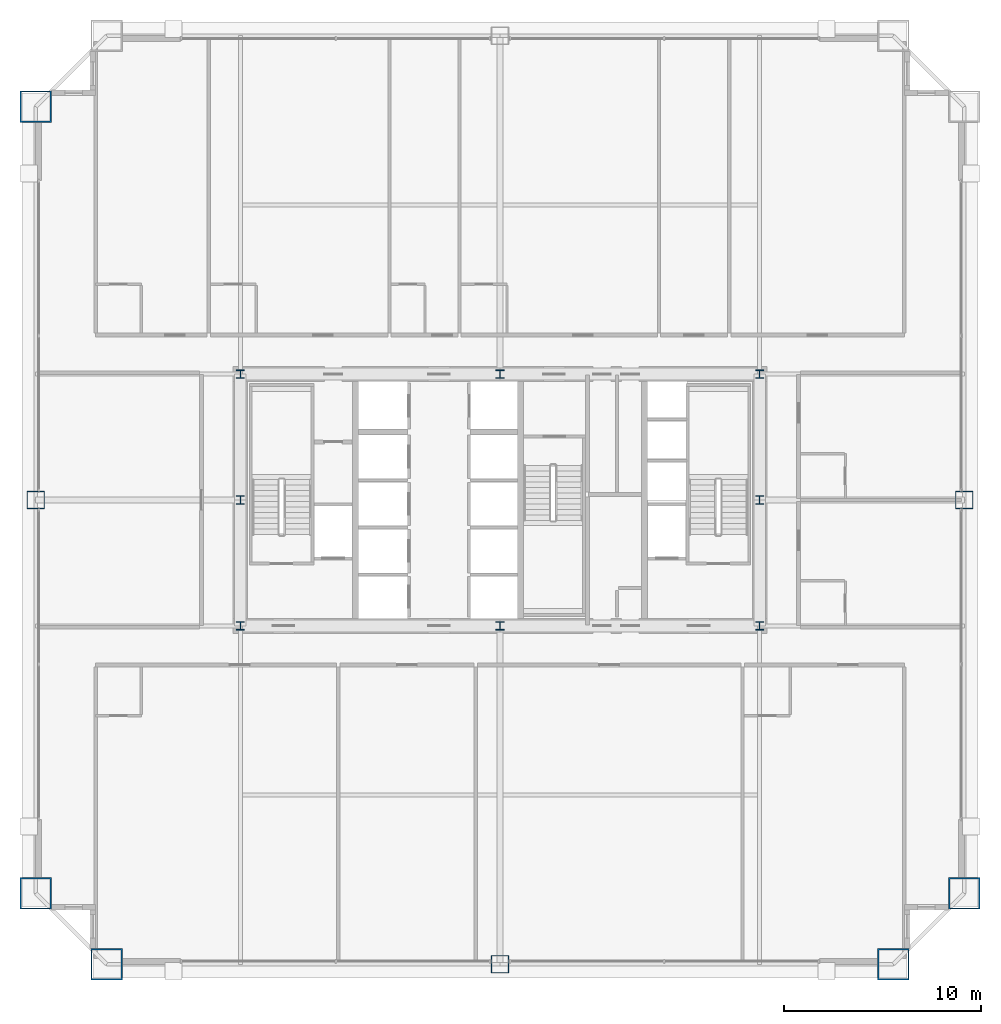
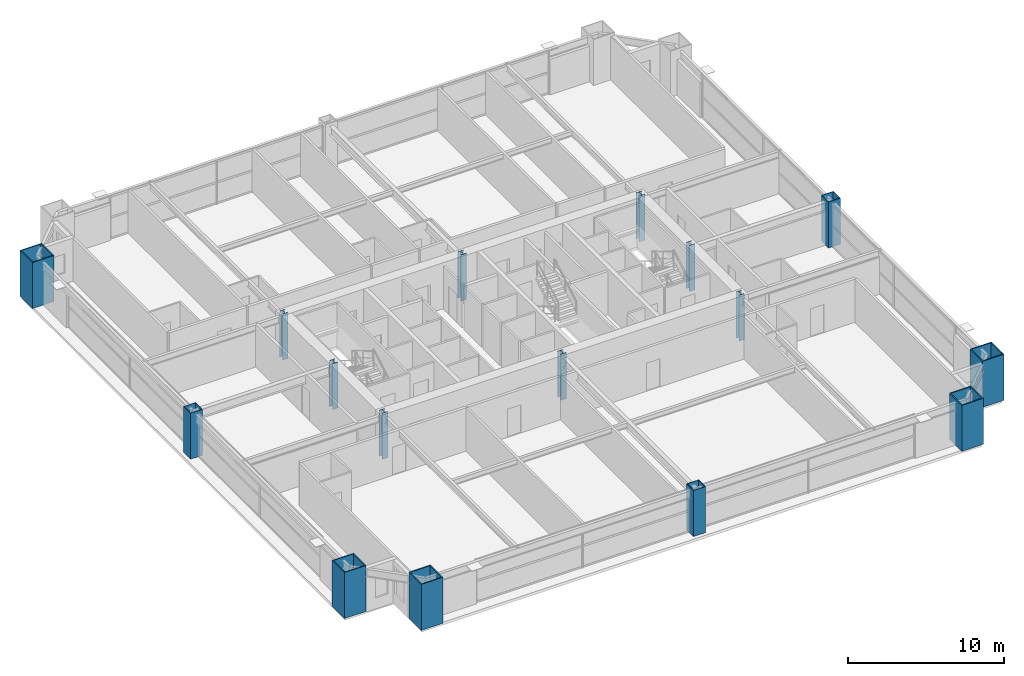
# One storey, part 1 of 38: 16 columns.
"""IFC4 building model written with IfcOpenShell, lengths in metres."""

from ifc_helpers import new_model, si_unit, direction, frame, origin, origin_2d, place, context, subcontext, project, spatial, hollow_rectangle, i_section, extrude, source, transform, mapped, material, material_profile, profile_set, type_object, element, save


model = new_model("IFC4")

# Units and contexts
model_context = context("Model", 3, precision=1e-05, world=origin(), true_north=direction((0.0, 1.0)))
body_context = subcontext(model_context, "Body", "Model", "MODEL_VIEW")
ifc_project = project(units=[si_unit("LENGTHUNIT", "METRE"), si_unit("AREAUNIT", "SQUARE_METRE"), si_unit("VOLUMEUNIT", "CUBIC_METRE"), si_unit("PLANEANGLEUNIT", "RADIAN"), si_unit("MASSUNIT", "GRAM", prefix="KILO"), si_unit("THERMODYNAMICTEMPERATUREUNIT", "KELVIN"), si_unit("POWERUNIT", "WATT")], contexts=[model_context])

# Site, building, storey
site_placement = place(None, origin())
site = spatial("IfcSite", under=ifc_project, at=site_placement, CompositionType="ELEMENT")
building_placement = place(site_placement, origin())
building = spatial("IfcBuilding", under=site, at=building_placement, Name="Yuzanri Waterfront Tower", CompositionType="ELEMENT")
storey_placement = place(building_placement, frame((0.0, 0.0, 111.800048828125)))
storey = spatial("IfcBuildingStorey", under=building, at=storey_placement, Name="L29", CompositionType="ELEMENT", Elevation=111.800048828125)

# Columns
ifc_material_1 = material(Name="Steel Q355B", Category="steel")
ifc_material_profile_1 = material_profile(ifc_material_1, i_section(OverallWidth=0.406982421875, OverallDepth=0.427978515625, WebThickness=0.02001953125, FlangeThickness=0.034912109375, at=origin_2d()), Name="HW 428x407x20x35")
ifc_profile_set_1 = profile_set([ifc_material_profile_1], Name="Steel Q355B")
column_type_1 = type_object("IfcColumnType", Name="Core Post Q355B HW 428x407x20x35", PredefinedType="COLUMN", material=ifc_profile_set_1)
shared_shape_1 = source(origin(), body_context, "Body", "SweptSolid", [
    extrude(i_section(OverallWidth=0.406982421875, OverallDepth=0.427978515625, WebThickness=0.02001953125, FlangeThickness=0.034912109375, at=origin_2d()), origin(), (0.0, 0.0, 1.0), 3.599853515625),
])
for number, where, z_axis, x_axis, name in (
    (1, (23.800048828125, 19.39990234375, 0.0), (0.0, 0.0, 1.0), (1.0, 0.0, 0.0), "L29 Core Boundary Column CP1"),
    (2, (37.0, 19.39990234375, 0.0), (0.0, 0.0, 1.0), (1.0, 0.0, 0.0), "L29 Core Boundary Column CP2"),
    (3, (50.199951171875, 19.39990234375, 0.0), (0.0, 0.0, 1.0), (1.0, 0.0, 0.0), "L29 Core Boundary Column CP3"),
    (4, (23.800048828125, 25.800048828125, 0.0), (0.0, 0.0, 1.0), (1.0, 0.0, 0.0), "L29 Core Boundary Column CP4"),
    (5, (50.199951171875, 25.800048828125, 0.0), (0.0, 0.0, 1.0), (1.0, 0.0, 0.0), "L29 Core Boundary Column CP5"),
    (6, (23.800048828125, 32.199951171875, 0.0), (0.0, 0.0, 1.0), (1.0, 0.0, 0.0), "L29 Core Boundary Column CP6"),
    (7, (37.0, 32.199951171875, 0.0), (0.0, 0.0, 1.0), (1.0, 0.0, 0.0), "L29 Core Boundary Column CP7"),
    (8, (50.199951171875, 32.199951171875, 0.0), (0.0, 0.0, 1.0), (1.0, 0.0, 0.0), "L29 Core Boundary Column CP8"),
):
    element("IfcColumn", number, at=place(storey_placement, frame(where, z_axis=z_axis, x_axis=x_axis)), inside=storey, type_object=column_type_1, Name=name, PredefinedType="COLUMN", context=body_context, shape_type="MappedRepresentation", body=[
        mapped(shared_shape_1, transform((0.0, 0.0, 0.0), scale=1.0)),
    ])
ifc_material_2 = material(Name="Steel Q390GJC", Category="steel")
ifc_material_profile_2 = material_profile(ifc_material_2, hollow_rectangle(XDim=0.89990234375, YDim=0.89990234375, WallThickness=0.0419921875, at=origin_2d()), Name="RHS 900x900x42")
ifc_profile_set_2 = profile_set([ifc_material_profile_2], Name="Steel Q390GJC")
column_type_2 = type_object("IfcColumnType", Name="Frame Column Q390GJC RHS 900x900x42", PredefinedType="COLUMN", material=ifc_profile_set_2)
shared_shape_2 = source(origin(), body_context, "Body", "SweptSolid", [
    extrude(hollow_rectangle(XDim=0.89990234375, YDim=0.89990234375, WallThickness=0.0419921875, at=origin_2d()), origin(), (0.0, 0.0, 1.0), 3.599853515625),
])
for number, where, z_axis, x_axis, name in (
    (9, (37.0, 2.199951171875, 0.0), (0.0, 0.0, 1.0), (1.0, 0.0, 0.0), "L29 Perimeter Frame Column S2"),
    (10, (13.39990234375, 25.800048828125, 0.0), (0.0, 0.0, 1.0), (1.0, 0.0, 0.0), "L29 Perimeter Frame Column W2"),
    (11, (60.60009765625, 25.800048828125, 0.0), (0.0, 0.0, 1.0), (1.0, 0.0, 0.0), "L29 Perimeter Frame Column E2"),
):
    element("IfcColumn", number, at=place(storey_placement, frame(where, z_axis=z_axis, x_axis=x_axis)), inside=storey, type_object=column_type_2, Name=name, PredefinedType="COLUMN", context=body_context, shape_type="MappedRepresentation", body=[
        mapped(shared_shape_2, transform((0.0, 0.0, 0.0), scale=1.0)),
    ])
ifc_material_3 = material(Name="Steel Q420GJC", Category="steel")
ifc_material_profile_3 = material_profile(ifc_material_3, hollow_rectangle(XDim=1.60009765625, YDim=1.60009765625, WallThickness=0.070068359375, at=origin_2d()), Name="RHS 1600x1600x70")
ifc_profile_set_3 = profile_set([ifc_material_profile_3], Name="Steel Q420GJC")
column_type_3 = type_object("IfcColumnType", Name="Mega Column Q420GJC RHS 1600x1600x70", PredefinedType="COLUMN", material=ifc_profile_set_3)
shared_shape_3 = source(origin(), body_context, "Body", "SweptSolid", [
    extrude(hollow_rectangle(XDim=1.60009765625, YDim=1.60009765625, WallThickness=0.070068359375, at=origin_2d()), origin(), (0.0, 0.0, 1.0), 3.599853515625),
])
for number, where, z_axis, x_axis, name in (
    (12, (17.0, 2.199951171875, 0.0), (0.0, 0.0, 1.0), (1.0, 0.0, 0.0), "L29 Perimeter Mega Column S1"),
    (13, (57.0, 2.199951171875, 0.0), (0.0, 0.0, 1.0), (1.0, 0.0, 0.0), "L29 Perimeter Mega Column S3"),
    (14, (13.39990234375, 5.800048828125, 0.0), (0.0, 0.0, 1.0), (1.0, 0.0, 0.0), "L29 Perimeter Mega Column W1"),
    (15, (13.39990234375, 45.800048828125, 0.0), (0.0, 0.0, 1.0), (1.0, 0.0, 0.0), "L29 Perimeter Mega Column W3"),
    (16, (60.60009765625, 5.800048828125, 0.0), (0.0, 0.0, 1.0), (1.0, 0.0, 0.0), "L29 Perimeter Mega Column E1"),
):
    element("IfcColumn", number, at=place(storey_placement, frame(where, z_axis=z_axis, x_axis=x_axis)), inside=storey, type_object=column_type_3, Name=name, PredefinedType="COLUMN", context=body_context, shape_type="MappedRepresentation", body=[
        mapped(shared_shape_3, transform((0.0, 0.0, 0.0), scale=1.0)),
    ])

save(model, "model.ifc")
